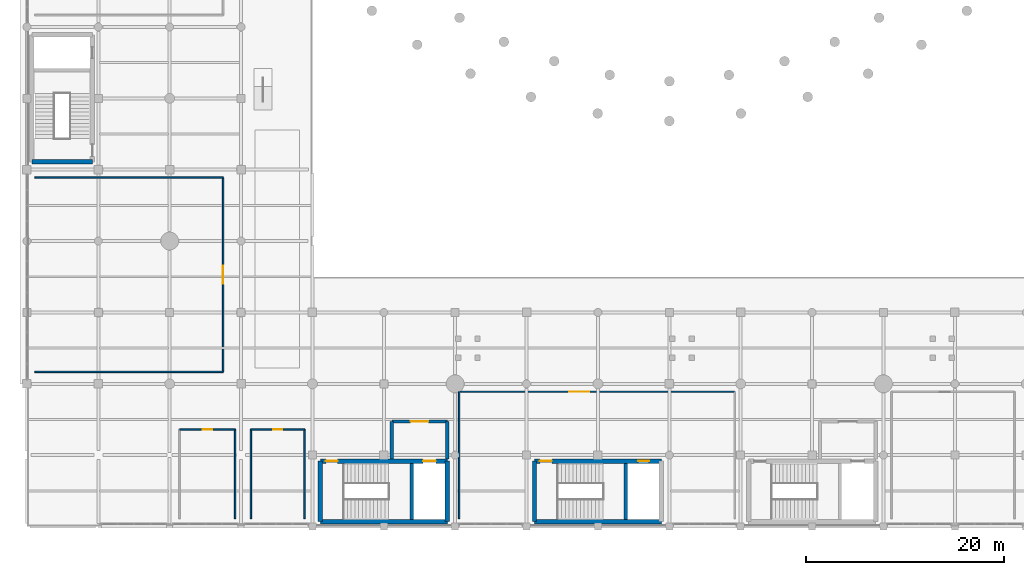
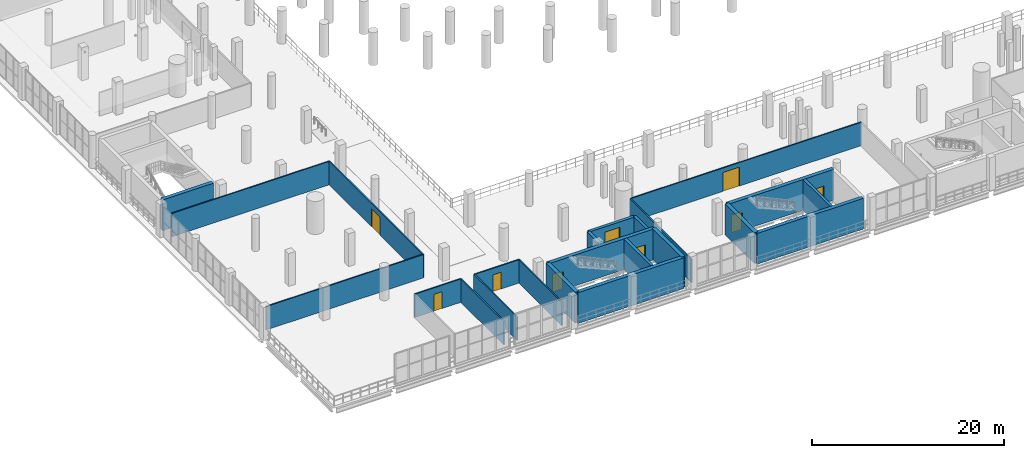
# One storey, part 131 of 153: 23 walls, 9 doors, 9 openings.
"""IFC4 building model written with IfcOpenShell, lengths in metres."""

from ifc_helpers import new_model, si_unit, direction, frame, frame_2d, origin, place, context, subcontext, project, spatial, rectangle, extrude, material, layer, layer_set, type_object, element, fill, save


model = new_model("IFC4")

# Units and contexts
model_context = context("Model", 3, precision=1e-05, world=origin(), true_north=direction((0.0, 1.0)))
body_context = subcontext(model_context, "Body", "Model", "MODEL_VIEW")
ifc_project = project(units=[si_unit("LENGTHUNIT", "METRE"), si_unit("AREAUNIT", "SQUARE_METRE"), si_unit("VOLUMEUNIT", "CUBIC_METRE"), si_unit("PLANEANGLEUNIT", "RADIAN"), si_unit("MASSUNIT", "GRAM", prefix="KILO")], contexts=[model_context])

# Site, building, storey
site_placement = place(None, origin())
site = spatial("IfcSite", under=ifc_project, at=site_placement, CompositionType="ELEMENT")
building_placement = place(site_placement, origin())
building = spatial("IfcBuilding", under=site, at=building_placement, Name="Qandorah Velis Arena", CompositionType="ELEMENT")
storey_placement = place(building_placement, frame((0.0, 0.0, 5.39990234375)))
storey = spatial("IfcBuildingStorey", under=building, at=storey_placement, Name="L01", CompositionType="ELEMENT", Elevation=5.39990234375)

# Wall
ifc_material_1 = material(Name="Concrete C35/45", Category="concrete")
ifc_layer_1 = layer(ifc_material_1, 0.14990234375)
ifc_layer_set_1 = layer_set([ifc_layer_1], Name="Concrete C35/45")
wall_type_1 = type_object("IfcWallType", Name="ARC-WAL-PART150", PredefinedType="PARTITIONING", material=ifc_layer_set_1)
wall_1_placement = place(storey_placement, frame((0.800048828125, 15.60009765625, 0.0), z_axis=(0.0, 0.0, 1.0), x_axis=(1.0, 0.0, 0.0)))
element("IfcWall", 1, at=wall_1_placement, inside=storey, type_object=wall_type_1, Name="Interior partition L01-CLB-W (S)", PredefinedType="PARTITIONING", context=body_context, shape_type="SweptSolid", body=[
    extrude(rectangle(XDim=19.0, YDim=0.14990234375, at=frame_2d((9.5, 0.0))), origin(), (0.0, 0.0, 1.0), 2.97998046875),
])

# Wall, opening, door
wall_2_placement = place(storey_placement, frame((19.800048828125, 15.60009765625, 0.0), z_axis=(0.0, 0.0, 1.0), x_axis=(0.0, 1.0, 0.0)))
wall_2 = element("IfcWall", 2, at=wall_2_placement, inside=storey, type_object=wall_type_1, Name="Interior partition L01-CLB-W (E)", PredefinedType="PARTITIONING", context=body_context, shape_type="SweptSolid", body=[
    extrude(rectangle(XDim=19.599853515625, YDim=0.14990234375, at=frame_2d((9.7998046875, 0.0))), origin(), (0.0, 0.0, 1.0), 2.97998046875),
])
opening_1_placement = place(wall_2_placement, frame((8.89990234375, 0.0, 0.0)))
opening_1 = element("IfcOpeningElement", 3, at=opening_1_placement, cuts=wall_2, Name="Opening D3", PredefinedType="OPENING", context=body_context, shape_type="SweptSolid", body=[
    extrude(rectangle(XDim=1.800048828125, YDim=2.300048828125, at=frame_2d((0.89990234375, 1.14990234375))), frame((0.0, 0.0849609375, 0.0), z_axis=(0.0, -1.0, 0.0), x_axis=(1.0, 0.0, 0.0)), (0.0, 0.0, 1.0), 0.169921875),
])
ifc_material_2 = material(Name="Double-leaf acoustic timber door", Category="wood")
door_type_1 = type_object("IfcDoorType", Name="ARC-DR-DBL1800", OperationType="NOTDEFINED", PredefinedType="DOOR", material=ifc_material_2)
door_1_placement = place(opening_1_placement, frame((1.800048828125, 0.0, 0.0), z_axis=(0.0, 0.0, 1.0), x_axis=(-1.0, 0.0, 0.0)))
door_1 = element("IfcDoor", 4, at=door_1_placement, inside=storey, type_object=door_type_1, Name="Door L01-CLB-W", OperationType="DOUBLE_DOOR_SINGLE_SWING", OverallHeight=2.300048828125, OverallWidth=1.800048828125, PredefinedType="DOOR", context=body_context, shape_type="SweptSolid", body=[
    extrude(rectangle(XDim=1.800048828125, YDim=2.300048828125, at=frame_2d((0.89990234375, 1.14990234375))), frame((0.0, 0.02490234375, 0.0), z_axis=(0.0, -1.0, 0.0), x_axis=(1.0, 0.0, 0.0)), (0.0, 0.0, 1.0), 0.050048828125),
])
fill(opening_1, door_1)

# Wall
wall_3_placement = place(storey_placement, frame((19.800048828125, 35.199951171875, 0.0), z_axis=(0.0, 0.0, 1.0), x_axis=(-1.0, 0.0, 0.0)))
element("IfcWall", 5, at=wall_3_placement, inside=storey, type_object=wall_type_1, Name="Interior partition L01-CLB-W (N)", PredefinedType="PARTITIONING", context=body_context, shape_type="SweptSolid", body=[
    extrude(rectangle(XDim=19.0, YDim=0.14990234375, at=frame_2d((9.5, 0.0))), origin(), (0.0, 0.0, 1.0), 2.97998046875),
])

# Wall, opening, door
wall_4_placement = place(storey_placement, frame((71.39990234375, 13.60009765625, 0.0), z_axis=(0.0, 0.0, 1.0), x_axis=(-1.0, 0.0, 0.0)))
wall_4 = element("IfcWall", 6, at=wall_4_placement, inside=storey, type_object=wall_type_1, Name="Interior partition L01-CLB-S (N)", PredefinedType="PARTITIONING", context=body_context, shape_type="SweptSolid", body=[
    extrude(rectangle(XDim=27.7998046875, YDim=0.14990234375, at=frame_2d((13.89990234375, 0.0))), origin(), (0.0, 0.0, 1.0), 2.97998046875),
])
opening_2_placement = place(wall_4_placement, frame((14.699951171875, 0.0, 0.0)))
opening_2 = element("IfcOpeningElement", 7, at=opening_2_placement, cuts=wall_4, Name="Opening D5", PredefinedType="OPENING", context=body_context, shape_type="SweptSolid", body=[
    extrude(rectangle(XDim=2.0, YDim=2.39990234375, at=frame_2d((1.0, 1.199951171875))), frame((0.0, 0.0849609375, 0.0), z_axis=(0.0, -1.0, 0.0), x_axis=(1.0, 0.0, 0.0)), (0.0, 0.0, 1.0), 0.169921875),
])
ifc_material_3 = material(Name="Double-leaf glazed acoustic aluminium door", Category="aluminium")
door_type_2 = type_object("IfcDoorType", Name="ARC-DR-DBL2000", OperationType="NOTDEFINED", PredefinedType="DOOR", material=ifc_material_3)
door_2_placement = place(opening_2_placement, origin())
door_2 = element("IfcDoor", 8, at=door_2_placement, inside=storey, type_object=door_type_2, Name="Door L01-CLB-S", OperationType="DOUBLE_DOOR_SINGLE_SWING", OverallHeight=2.39990234375, OverallWidth=2.0, PredefinedType="DOOR", context=body_context, shape_type="SweptSolid", body=[
    extrude(rectangle(XDim=2.0, YDim=2.39990234375, at=frame_2d((1.0, 1.199951171875))), frame((0.0, 0.02490234375, 0.0), z_axis=(0.0, -1.0, 0.0), x_axis=(1.0, 0.0, 0.0)), (0.0, 0.0, 1.0), 0.050048828125),
])
fill(opening_2, door_2)

# Walls
wall_5_placement = place(storey_placement, frame((43.60009765625, 13.60009765625, 0.0), z_axis=(0.0, 0.0, 1.0), x_axis=(0.0, -1.0, 0.0)))
element("IfcWall", 9, at=wall_5_placement, inside=storey, type_object=wall_type_1, Name="Interior partition L01-CLB-S (W)", PredefinedType="PARTITIONING", context=body_context, shape_type="SweptSolid", body=[
    extrude(rectangle(XDim=12.800048828125, YDim=0.14990234375, at=frame_2d((6.39990234375, 0.0))), origin(), (0.0, 0.0, 1.0), 2.97998046875),
])
wall_6_placement = place(storey_placement, frame((21.0, 0.800048828125, 0.0), z_axis=(0.0, 0.0, 1.0), x_axis=(0.0, 1.0, 0.0)))
element("IfcWall", 10, at=wall_6_placement, inside=storey, type_object=wall_type_1, Name="Interior partition L01-L01-MWC1 (E)", PredefinedType="PARTITIONING", context=body_context, shape_type="SweptSolid", body=[
    extrude(rectangle(XDim=9.0, YDim=0.14990234375, at=frame_2d((4.5, 0.0))), origin(), (0.0, 0.0, 1.0), 2.97998046875),
])

# Wall, opening, door
wall_7_placement = place(storey_placement, frame((21.0, 9.800048828125, 0.0), z_axis=(0.0, 0.0, 1.0), x_axis=(-1.0, 0.0, 0.0)))
wall_7 = element("IfcWall", 11, at=wall_7_placement, inside=storey, type_object=wall_type_1, Name="Interior partition L01-L01-MWC1 (N)", PredefinedType="PARTITIONING", context=body_context, shape_type="SweptSolid", body=[
    extrude(rectangle(XDim=5.60009765625, YDim=0.14990234375, at=frame_2d((2.800048828125, 0.0))), origin(), (0.0, 0.0, 1.0), 2.97998046875),
])
opening_3_placement = place(wall_7_placement, frame((2.324951171875, 0.0, 0.0)))
opening_3 = element("IfcOpeningElement", 12, at=opening_3_placement, cuts=wall_7, Name="Opening D4", PredefinedType="OPENING", context=body_context, shape_type="SweptSolid", body=[
    extrude(rectangle(XDim=0.949951171875, YDim=2.14990234375, at=frame_2d((0.47509765625, 1.074951171875))), frame((0.0, 0.0849609375, 0.0), z_axis=(0.0, -1.0, 0.0), x_axis=(1.0, 0.0, 0.0)), (0.0, 0.0, 1.0), 0.169921875),
])
ifc_material_4 = material(Name="Moisture-resistant laminate door")
door_type_3 = type_object("IfcDoorType", Name="ARC-DR-WC950", OperationType="NOTDEFINED", PredefinedType="DOOR", material=ifc_material_4)
door_3_placement = place(opening_3_placement, origin())
door_3 = element("IfcDoor", 13, at=door_3_placement, inside=storey, type_object=door_type_3, Name="Door L01-L01-MWC1", OperationType="SINGLE_SWING_LEFT", OverallHeight=2.14990234375, OverallWidth=0.949951171875, PredefinedType="DOOR", context=body_context, shape_type="SweptSolid", body=[
    extrude(rectangle(XDim=0.949951171875, YDim=2.14990234375, at=frame_2d((0.47509765625, 1.074951171875))), frame((0.0, 0.02490234375, 0.0), z_axis=(0.0, -1.0, 0.0), x_axis=(1.0, 0.0, 0.0)), (0.0, 0.0, 1.0), 0.050048828125),
])
fill(opening_3, door_3)

# Wall
wall_8_placement = place(storey_placement, frame((28.0, 0.800048828125, 0.0), z_axis=(0.0, 0.0, 1.0), x_axis=(0.0, 1.0, 0.0)))
element("IfcWall", 14, at=wall_8_placement, inside=storey, type_object=wall_type_1, Name="Interior partition L01-L01-FWC1 (E)", PredefinedType="PARTITIONING", context=body_context, shape_type="SweptSolid", body=[
    extrude(rectangle(XDim=9.0, YDim=0.14990234375, at=frame_2d((4.5, 0.0))), origin(), (0.0, 0.0, 1.0), 2.97998046875),
])

# Wall, opening, door
wall_9_placement = place(storey_placement, frame((28.0, 9.800048828125, 0.0), z_axis=(0.0, 0.0, 1.0), x_axis=(-1.0, 0.0, 0.0)))
wall_9 = element("IfcWall", 15, at=wall_9_placement, inside=storey, type_object=wall_type_1, Name="Interior partition L01-L01-FWC1 (N)", PredefinedType="PARTITIONING", context=body_context, shape_type="SweptSolid", body=[
    extrude(rectangle(XDim=5.39990234375, YDim=0.14990234375, at=frame_2d((2.699951171875, 0.0))), origin(), (0.0, 0.0, 1.0), 2.97998046875),
])
opening_4_placement = place(wall_9_placement, frame((2.22509765625, 0.0, 0.0)))
opening_4 = element("IfcOpeningElement", 16, at=opening_4_placement, cuts=wall_9, Name="Opening D4", PredefinedType="OPENING", context=body_context, shape_type="SweptSolid", body=[
    extrude(rectangle(XDim=0.949951171875, YDim=2.14990234375, at=frame_2d((0.47509765625, 1.074951171875))), frame((0.0, 0.0849609375, 0.0), z_axis=(0.0, -1.0, 0.0), x_axis=(1.0, 0.0, 0.0)), (0.0, 0.0, 1.0), 0.169921875),
])
door_4_placement = place(opening_4_placement, frame((0.949951171875, 0.0, 0.0), z_axis=(0.0, 0.0, 1.0), x_axis=(-1.0, 0.0, 0.0)))
door_4 = element("IfcDoor", 17, at=door_4_placement, inside=storey, type_object=door_type_3, Name="Door L01-L01-FWC1", OperationType="SINGLE_SWING_RIGHT", OverallHeight=2.14990234375, OverallWidth=0.949951171875, PredefinedType="DOOR", context=body_context, shape_type="SweptSolid", body=[
    extrude(rectangle(XDim=0.949951171875, YDim=2.14990234375, at=frame_2d((0.47509765625, 1.074951171875))), frame((0.0, 0.02490234375, 0.0), z_axis=(0.0, -1.0, 0.0), x_axis=(1.0, 0.0, 0.0)), (0.0, 0.0, 1.0), 0.050048828125),
])
fill(opening_4, door_4)

# Walls
wall_10_placement = place(storey_placement, frame((22.60009765625, 9.800048828125, 0.0), z_axis=(0.0, 0.0, 1.0), x_axis=(0.0, -1.0, 0.0)))
element("IfcWall", 18, at=wall_10_placement, inside=storey, type_object=wall_type_1, Name="Interior partition L01-L01-FWC1 (W)", PredefinedType="PARTITIONING", context=body_context, shape_type="SweptSolid", body=[
    extrude(rectangle(XDim=9.0, YDim=0.14990234375, at=frame_2d((4.5, 0.0))), origin(), (0.0, 0.0, 1.0), 2.97998046875),
])
ifc_material_5 = material(Name="Concrete C40/50", Category="concrete")
ifc_layer_2 = layer(ifc_material_5, 0.449951171875)
ifc_layer_set_2 = layer_set([ifc_layer_2], Name="Concrete C40/50")
wall_type_2 = type_object("IfcWallType", Name="STR-WAL-CORE450", PredefinedType="SHEAR", material=ifc_layer_set_2)
wall_11_placement = place(storey_placement, frame((29.60009765625, 0.5, 0.0), z_axis=(0.0, 0.0, 1.0), x_axis=(1.0, 0.0, 0.0)))
element("IfcWall", 19, at=wall_11_placement, inside=storey, type_object=wall_type_2, Name="Core CORE-01 shear wall S (L01)", PredefinedType="SHEAR", context=body_context, shape_type="SweptSolid", body=[
    extrude(rectangle(XDim=12.7998046875, YDim=0.449951171875, at=frame_2d((6.39990234375, 0.0))), origin(), (0.0, 0.0, 1.0), 3.920166015625),
])

# Wall, openings, doors
wall_12_placement = place(storey_placement, frame((29.60009765625, 6.60009765625, 0.0), z_axis=(0.0, 0.0, 1.0), x_axis=(1.0, 0.0, 0.0)))
wall_12 = element("IfcWall", 20, at=wall_12_placement, inside=storey, type_object=wall_type_2, Name="Core CORE-01 shear wall N (L01)", PredefinedType="SHEAR", context=body_context, shape_type="SweptSolid", body=[
    extrude(rectangle(XDim=12.7998046875, YDim=0.449951171875, at=frame_2d((6.39990234375, 0.0))), origin(), (0.0, 0.0, 1.0), 3.920166015625),
])
opening_5_placement = place(wall_12_placement, frame((0.550048828125, 0.0, 0.0)))
opening_5 = element("IfcOpeningElement", 21, at=opening_5_placement, cuts=wall_12, Name="Opening SD1", PredefinedType="OPENING", context=body_context, shape_type="SweptSolid", body=[
    extrude(rectangle(XDim=1.199951171875, YDim=2.25, at=frame_2d((0.60009765625, 1.125))), frame((0.0, 0.23486328125, 0.0), z_axis=(0.0, -1.0, 0.0), x_axis=(1.0, 0.0, 0.0)), (0.0, 0.0, 1.0), 0.469970703125),
])
opening_6_placement = place(wall_12_placement, frame((10.35791015625, 0.0, 0.0)))
opening_6 = element("IfcOpeningElement", 22, at=opening_6_placement, cuts=wall_12, Name="Opening LD2", PredefinedType="OPENING", context=body_context, shape_type="SweptSolid", body=[
    extrude(rectangle(XDim=1.300048828125, YDim=2.25, at=frame_2d((0.64990234375, 1.125))), frame((0.0, 0.23486328125, 0.0), z_axis=(0.0, -1.0, 0.0), x_axis=(1.0, 0.0, 0.0)), (0.0, 0.0, 1.0), 0.469970703125),
])
ifc_material_6 = material(Name="Firefighting stainless sliding lift landing door", Category="steel")
door_type_4 = type_object("IfcDoorType", Name="ARC-DR-LD1300", OperationType="NOTDEFINED", PredefinedType="DOOR", material=ifc_material_6)
door_5_placement = place(opening_6_placement, origin())
door_5 = element("IfcDoor", 23, at=door_5_placement, inside=storey, type_object=door_type_4, Name="Lift FL1 sliding landing door (L01)", OperationType="SLIDING_TO_LEFT", OverallHeight=2.25, OverallWidth=1.300048828125, PredefinedType="DOOR", context=body_context, shape_type="SweptSolid", body=[
    extrude(rectangle(XDim=1.300048828125, YDim=2.25, at=frame_2d((0.64990234375, 1.125))), frame((0.0, 0.02490234375, 0.0), z_axis=(0.0, -1.0, 0.0), x_axis=(1.0, 0.0, 0.0)), (0.0, 0.0, 1.0), 0.050048828125),
])
fill(opening_6, door_5)
ifc_material_7 = material(Name="Self-closing fire-rated stair steel door", Category="steel")
door_type_5 = type_object("IfcDoorType", Name="ARC-DR-ST1200", OperationType="NOTDEFINED", PredefinedType="DOOR", material=ifc_material_7)
door_6_placement = place(opening_5_placement, frame((1.199951171875, 0.0, 0.0), z_axis=(0.0, 0.0, 1.0), x_axis=(-1.0, 0.0, 0.0)))
door_6 = element("IfcDoor", 24, at=door_6_placement, inside=storey, type_object=door_type_5, Name="Stair ST1 fire door (L01)", OperationType="SINGLE_SWING_RIGHT", OverallHeight=2.25, OverallWidth=1.199951171875, PredefinedType="DOOR", context=body_context, shape_type="SweptSolid", body=[
    extrude(rectangle(XDim=1.199951171875, YDim=2.25, at=frame_2d((0.60009765625, 1.125))), frame((0.0, 0.02490234375, 0.0), z_axis=(0.0, -1.0, 0.0), x_axis=(1.0, 0.0, 0.0)), (0.0, 0.0, 1.0), 0.050048828125),
])
fill(opening_5, door_6)

# Walls
for number, where, z_axis, x_axis, name in (
    (25, (29.60009765625, 0.5, 0.0), (0.0, 0.0, 1.0), (0.0, 1.0, 0.0), "Core CORE-01 shear wall W (L01)"),
    (26, (42.39990234375, 0.5, 0.0), (0.0, 0.0, 1.0), (0.0, 1.0, 0.0), "Core CORE-01 shear wall E (L01)"),
    (27, (0.5, 36.800048828125, 0.0), (0.0, 0.0, 1.0), (1.0, 0.0, 0.0), "Core CORE-05 shear wall S (L01)"),
):
    element("IfcWall", number, at=place(storey_placement, frame(where, z_axis=z_axis, x_axis=x_axis)), inside=storey, type_object=wall_type_2, Name=name, PredefinedType="SHEAR", context=body_context, shape_type="SweptSolid", body=[
        extrude(rectangle(XDim=6.10009765625, YDim=0.449951171875, at=frame_2d((3.050048828125, 0.0))), origin(), (0.0, 0.0, 1.0), 3.920166015625),
    ])
wall_13_placement = place(storey_placement, frame((51.199951171875, 0.5, 0.0), z_axis=(0.0, 0.0, 1.0), x_axis=(1.0, 0.0, 0.0)))
element("IfcWall", 28, at=wall_13_placement, inside=storey, type_object=wall_type_2, Name="Core CORE-09 shear wall S (L01)", PredefinedType="SHEAR", context=body_context, shape_type="SweptSolid", body=[
    extrude(rectangle(XDim=12.800048828125, YDim=0.449951171875, at=frame_2d((6.39990234375, 0.0))), origin(), (0.0, 0.0, 1.0), 3.920166015625),
])

# Wall, openings, doors
wall_14_placement = place(storey_placement, frame((51.199951171875, 6.60009765625, 0.0), z_axis=(0.0, 0.0, 1.0), x_axis=(1.0, 0.0, 0.0)))
wall_14 = element("IfcWall", 29, at=wall_14_placement, inside=storey, type_object=wall_type_2, Name="Core CORE-09 shear wall N (L01)", PredefinedType="SHEAR", context=body_context, shape_type="SweptSolid", body=[
    extrude(rectangle(XDim=12.800048828125, YDim=0.449951171875, at=frame_2d((6.39990234375, 0.0))), origin(), (0.0, 0.0, 1.0), 3.920166015625),
])
opening_7_placement = place(wall_14_placement, frame((0.550048828125, 0.0, 0.0)))
opening_7 = element("IfcOpeningElement", 30, at=opening_7_placement, cuts=wall_14, Name="Opening SD1", PredefinedType="OPENING", context=body_context, shape_type="SweptSolid", body=[
    extrude(rectangle(XDim=1.199951171875, YDim=2.25, at=frame_2d((0.60009765625, 1.125))), frame((0.0, 0.23486328125, 0.0), z_axis=(0.0, -1.0, 0.0), x_axis=(1.0, 0.0, 0.0)), (0.0, 0.0, 1.0), 0.469970703125),
])
opening_8_placement = place(wall_14_placement, frame((10.4580078125, 0.0, 0.0)))
opening_8 = element("IfcOpeningElement", 31, at=opening_8_placement, cuts=wall_14, Name="Opening LD1", PredefinedType="OPENING", context=body_context, shape_type="SweptSolid", body=[
    extrude(rectangle(XDim=1.10009765625, YDim=2.199951171875, at=frame_2d((0.550048828125, 1.10009765625))), frame((0.0, 0.23486328125, 0.0), z_axis=(0.0, -1.0, 0.0), x_axis=(1.0, 0.0, 0.0)), (0.0, 0.0, 1.0), 0.469970703125),
])
ifc_material_8 = material(Name="Stainless steel sliding lift landing door", Category="steel")
door_type_6 = type_object("IfcDoorType", Name="ARC-DR-LD1100", OperationType="NOTDEFINED", PredefinedType="DOOR", material=ifc_material_8)
door_7_placement = place(opening_8_placement, origin())
door_7 = element("IfcDoor", 32, at=door_7_placement, inside=storey, type_object=door_type_6, Name="Lift PL6 sliding landing door (L01)", OperationType="SLIDING_TO_RIGHT", OverallHeight=2.199951171875, OverallWidth=1.10009765625, PredefinedType="DOOR", context=body_context, shape_type="SweptSolid", body=[
    extrude(rectangle(XDim=1.10009765625, YDim=2.199951171875, at=frame_2d((0.550048828125, 1.10009765625))), frame((0.0, 0.02490234375, 0.0), z_axis=(0.0, -1.0, 0.0), x_axis=(1.0, 0.0, 0.0)), (0.0, 0.0, 1.0), 0.050048828125),
])
fill(opening_8, door_7)
door_8_placement = place(opening_7_placement, frame((1.199951171875, 0.0, 0.0), z_axis=(0.0, 0.0, 1.0), x_axis=(-1.0, 0.0, 0.0)))
door_8 = element("IfcDoor", 33, at=door_8_placement, inside=storey, type_object=door_type_5, Name="Stair ST9 fire door (L01)", OperationType="SINGLE_SWING_LEFT", OverallHeight=2.25, OverallWidth=1.199951171875, PredefinedType="DOOR", context=body_context, shape_type="SweptSolid", body=[
    extrude(rectangle(XDim=1.199951171875, YDim=2.25, at=frame_2d((0.60009765625, 1.125))), frame((0.0, 0.02490234375, 0.0), z_axis=(0.0, -1.0, 0.0), x_axis=(1.0, 0.0, 0.0)), (0.0, 0.0, 1.0), 0.050048828125),
])
fill(opening_7, door_8)

# Walls
wall_15_placement = place(storey_placement, frame((51.199951171875, 0.5, 0.0), z_axis=(0.0, 0.0, 1.0), x_axis=(0.0, 1.0, 0.0)))
element("IfcWall", 34, at=wall_15_placement, inside=storey, type_object=wall_type_2, Name="Core CORE-09 shear wall W (L01)", PredefinedType="SHEAR", context=body_context, shape_type="SweptSolid", body=[
    extrude(rectangle(XDim=6.10009765625, YDim=0.449951171875, at=frame_2d((3.050048828125, 0.0))), origin(), (0.0, 0.0, 1.0), 3.920166015625),
])
ifc_layer_3 = layer(ifc_material_5, 0.35009765625)
ifc_layer_set_3 = layer_set([ifc_layer_3], Name="Concrete C40/50")
wall_type_3 = type_object("IfcWallType", Name="STR-WAL-SH350", PredefinedType="SHEAR", material=ifc_layer_set_3)
for number, where, z_axis, x_axis, name in (
    (35, (38.81591796875, 0.72509765625, 0.0), (0.0, 0.0, 1.0), (0.0, 1.0, 0.0), "Core CORE-01 shaft divider shear wall (L01)"),
    (36, (60.416015625, 0.72509765625, 0.0), (0.0, 0.0, 1.0), (0.0, 1.0, 0.0), "Core CORE-09 shaft divider shear wall (L01)"),
):
    element("IfcWall", number, at=place(storey_placement, frame(where, z_axis=z_axis, x_axis=x_axis)), inside=storey, type_object=wall_type_3, Name=name, PredefinedType="SHEAR", context=body_context, shape_type="SweptSolid", body=[
        extrude(rectangle(XDim=5.64990234375, YDim=0.35009765625, at=frame_2d((2.824951171875, 0.0))), origin(), (0.0, 0.0, 1.0), 3.920166015625),
    ])
wall_16_placement = place(storey_placement, frame((42.39990234375, 6.800048828125, 0.0), z_axis=(0.0, 0.0, 1.0), x_axis=(0.0, 1.0, 0.0)))
element("IfcWall", 37, at=wall_16_placement, inside=storey, type_object=wall_type_3, Name="Interior partition FFL-FL1-L01 (E)", PredefinedType="SHEAR", context=body_context, shape_type="SweptSolid", body=[
    extrude(rectangle(XDim=3.800048828125, YDim=0.35009765625, at=frame_2d((1.89990234375, 0.0))), origin(), (0.0, 0.0, 1.0), 2.97998046875),
])

# Wall, opening, door
wall_17_placement = place(storey_placement, frame((42.39990234375, 10.60009765625, 0.0), z_axis=(0.0, 0.0, 1.0), x_axis=(-1.0, 0.0, 0.0)))
wall_17 = element("IfcWall", 38, at=wall_17_placement, inside=storey, type_object=wall_type_3, Name="Interior partition FFL-FL1-L01 (N)", PredefinedType="SHEAR", context=body_context, shape_type="SweptSolid", body=[
    extrude(rectangle(XDim=5.599853515625, YDim=0.35009765625, at=frame_2d((2.7998046875, 0.0))), origin(), (0.0, 0.0, 1.0), 2.97998046875),
])
opening_9_placement = place(wall_17_placement, frame((1.89990234375, 0.0, 0.0)))
opening_9 = element("IfcOpeningElement", 39, at=opening_9_placement, cuts=wall_17, Name="Opening FD1", PredefinedType="OPENING", context=body_context, shape_type="SweptSolid", body=[
    extrude(rectangle(XDim=1.800048828125, YDim=2.300048828125, at=frame_2d((0.89990234375, 1.14990234375))), frame((0.0, 0.18505859375, 0.0), z_axis=(0.0, -1.0, 0.0), x_axis=(1.0, 0.0, 0.0)), (0.0, 0.0, 1.0), 0.3701171875),
])
ifc_material_9 = material(Name="Insulated fire-rated double steel door", Category="steel")
door_type_7 = type_object("IfcDoorType", Name="ARC-DR-FD1800", OperationType="NOTDEFINED", PredefinedType="DOOR", material=ifc_material_9)
door_9_placement = place(opening_9_placement, frame((1.800048828125, 0.0, 0.0), z_axis=(0.0, 0.0, 1.0), x_axis=(-1.0, 0.0, 0.0)))
door_9 = element("IfcDoor", 40, at=door_9_placement, inside=storey, type_object=door_type_7, Name="Door FFL-FL1-L01", OperationType="DOUBLE_DOOR_SINGLE_SWING", OverallHeight=2.300048828125, OverallWidth=1.800048828125, PredefinedType="DOOR", context=body_context, shape_type="SweptSolid", body=[
    extrude(rectangle(XDim=1.800048828125, YDim=2.300048828125, at=frame_2d((0.89990234375, 1.14990234375))), frame((0.0, 0.02490234375, 0.0), z_axis=(0.0, -1.0, 0.0), x_axis=(1.0, 0.0, 0.0)), (0.0, 0.0, 1.0), 0.050048828125),
])
fill(opening_9, door_9)

# Wall
wall_18_placement = place(storey_placement, frame((36.800048828125, 10.60009765625, 0.0), z_axis=(0.0, 0.0, 1.0), x_axis=(0.0, -1.0, 0.0)))
element("IfcWall", 41, at=wall_18_placement, inside=storey, type_object=wall_type_3, Name="Interior partition FFL-FL1-L01 (W)", PredefinedType="SHEAR", context=body_context, shape_type="SweptSolid", body=[
    extrude(rectangle(XDim=3.800048828125, YDim=0.35009765625, at=frame_2d((1.89990234375, 0.0))), origin(), (0.0, 0.0, 1.0), 2.97998046875),
])

save(model, "model.ifc")
